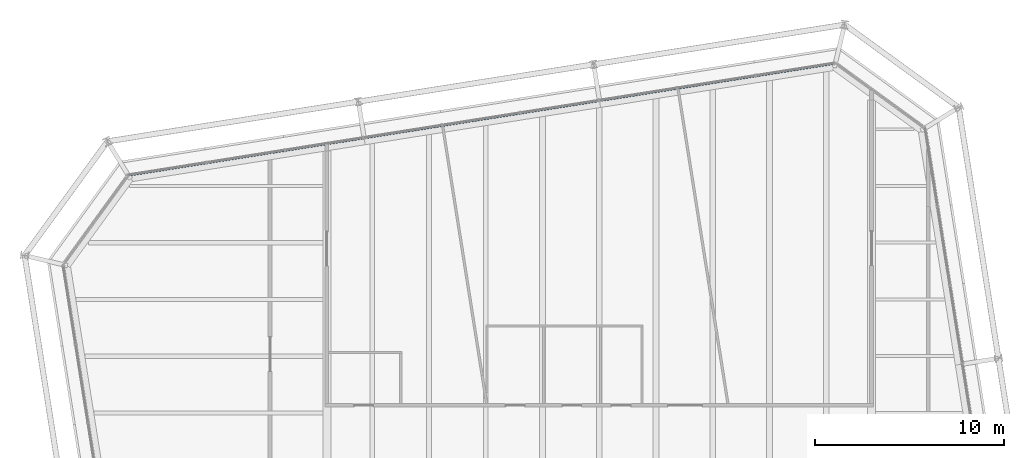
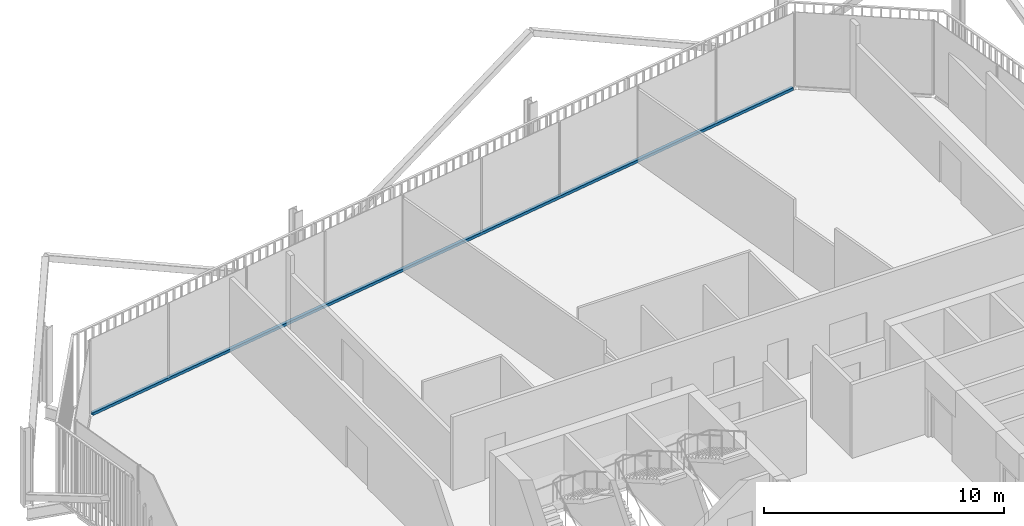
# One storey, part 14 of 21: 1 member, 1 element without a shape of its own.
"""IFC4 building model written with IfcOpenShell, lengths in metres."""

import ifcopenshell
import ifcopenshell.guid

model = None  # the IFC model being written
_history = None  # IfcOwnerHistory: only IFC2X3 demands one
_inside = {}  # id of a spatial element -> (the spatial element, [elements in it])
_under = {}  # id of a project, library or spatial element -> (it, [spatial elements below it])
_declared = {}  # id of a project -> (the project, [libraries it declares])
_typed = {}  # id of a type object -> (the type object, [elements of that type])
_made_of = {}  # id of a material, layer set ... -> (it, [elements and type objects made of it])


def new_model(schema):
    """Start an empty IFC model of exactly this schema.

    Asked for "IFC4X3", IfcOpenShell would pick the latest addendum, in which some entities
    have other attributes; the version numbers below select the first issue.
    IFC2X3 requires an IfcOwnerHistory on every rooted entity: one is made here for all.
    """
    global model, _history
    if schema == "IFC4X3":
        model = ifcopenshell.file(schema_version=(4, 3, 0, 0))
    else:
        model = ifcopenshell.file(schema=schema)
    _inside.clear()
    _under.clear()
    _declared.clear()
    _typed.clear()
    _made_of.clear()
    _history = None
    if model.schema == "IFC2X3":
        org = make("IfcOrganization", Name="unknown")
        user = make(
            "IfcPersonAndOrganization",
            ThePerson=make("IfcPerson", FamilyName="unknown"),
            TheOrganization=org,
        )
        app = make(
            "IfcApplication",
            ApplicationDeveloper=org,
            Version="unknown",
            ApplicationFullName="unknown",
            ApplicationIdentifier="unknown",
        )
        _history = make(
            "IfcOwnerHistory",
            OwningUser=user,
            OwningApplication=app,
            ChangeAction="ADDED",
            CreationDate=0,
        )
    return model


def make(cls, **values):
    """One entity of the class cls with the attributes given. An attribute that is None is left unset."""
    return model.create_entity(
        cls, **{name: value for name, value in values.items() if value is not None}
    )


def rooted(cls, **values):
    """An entity with a GlobalId (a new one), such as an element, a storey or a relation."""
    return make(cls, GlobalId=ifcopenshell.guid.new(), OwnerHistory=_history, **values)


def si_unit(unit_type, name, prefix=None):
    """IfcSIUnit, for example si_unit("LENGTHUNIT", "METRE", prefix="MILLI")."""
    return make("IfcSIUnit", UnitType=unit_type, Prefix=prefix, Name=name)


def assignment(units):
    """IfcUnitAssignment: the units of a project."""
    return None if units is None else make("IfcUnitAssignment", Units=units)


def point(xyz):
    """IfcCartesianPoint."""
    return None if xyz is None else make("IfcCartesianPoint", Coordinates=xyz)


def direction(xyz):
    """IfcDirection."""
    return None if xyz is None else make("IfcDirection", DirectionRatios=xyz)


def frame(location, z_axis=None, x_axis=None):
    """IfcAxis2Placement3D, a coordinate frame: its origin and axes. An axis left out is left unset."""
    return make(
        "IfcAxis2Placement3D",
        Location=point(location),
        Axis=direction(z_axis),
        RefDirection=direction(x_axis),
    )


def frame_2d(location, x_axis=None):
    """IfcAxis2Placement2D, a coordinate frame in the plane: its origin and x axis."""
    return make(
        "IfcAxis2Placement2D", Location=point(location), RefDirection=direction(x_axis)
    )


def origin():
    """The frame at (0, 0, 0) with its axes left unset."""
    return frame((0.0, 0.0, 0.0))


def origin_2d():
    """The frame at (0, 0) in the plane with its x axis left unset."""
    return frame_2d((0.0, 0.0))


def place(relative_to, where):
    """IfcLocalPlacement: puts the frame where relative to a parent placement (None: the world)."""
    return make(
        "IfcLocalPlacement", PlacementRelTo=relative_to, RelativePlacement=where
    )


def context(
    kind, dimensions, precision=None, world=None, true_north=None, identifier=None
):
    """IfcGeometricRepresentationContext, for example the 3D "Model" context."""
    return make(
        "IfcGeometricRepresentationContext",
        ContextIdentifier=identifier,
        ContextType=kind,
        CoordinateSpaceDimension=dimensions,
        Precision=precision,
        WorldCoordinateSystem=world,
        TrueNorth=true_north,
    )


def subcontext(parent, identifier, kind, view, scale=None):
    """IfcGeometricRepresentationSubContext, for example "Body" below "Model"."""
    return make(
        "IfcGeometricRepresentationSubContext",
        ContextIdentifier=identifier,
        ContextType=kind,
        ParentContext=parent,
        TargetScale=scale,
        TargetView=view,
    )


def project(units=None, contexts=None):
    """IfcProject with its units and contexts."""
    return rooted(
        "IfcProject",
        Name="project",
        RepresentationContexts=contexts,
        UnitsInContext=assignment(units),
    )


def spatial(cls, under=None, at=None, **own):
    """A site, building, storey or space (cls), placed at a placement, below another one or the project."""
    s = rooted(cls, ObjectPlacement=at, **own)
    if under is not None:
        _under.setdefault(under.id(), (under, []))[1].append(s)
    return s


def profile(cls, at=None, kind="AREA", **sizes):
    """A parametric profile (cls). Its sizes go by their IFC names, for example OverallWidth=200.0."""
    return make(cls, ProfileType=kind, Position=at, **sizes)


def rectangle(**sizes):
    """IfcRectangleProfileDef."""
    return profile("IfcRectangleProfileDef", **sizes)


def extrude(swept, where, along, depth):
    """IfcExtrudedAreaSolid: the profile swept, set in the frame where, extruded along a direction by depth."""
    return make(
        "IfcExtrudedAreaSolid",
        SweptArea=swept,
        Position=where,
        ExtrudedDirection=direction(along),
        Depth=depth,
    )


def shape(context_of_items, identifier, shape_type, items):
    """IfcShapeRepresentation: the items that make up one representation, for example the "Body"."""
    return make(
        "IfcShapeRepresentation",
        ContextOfItems=context_of_items,
        RepresentationIdentifier=identifier,
        RepresentationType=shape_type,
        Items=items,
    )


def material(Name=None, Category=None):
    """IfcMaterial."""
    return make("IfcMaterial", Name=Name, Category=Category)


def layer(
    of_material, thickness, ventilated=None, Name=None, Category=None, Priority=None
):
    """IfcMaterialLayer: one layer of a wall or slab, of a material (None: an air gap)."""
    return make(
        "IfcMaterialLayer",
        Material=of_material,
        LayerThickness=thickness,
        IsVentilated=ventilated,
        Name=Name,
        Category=Category,
        Priority=Priority,
    )


def layer_set(layers, Name=None):
    """IfcMaterialLayerSet."""
    return make("IfcMaterialLayerSet", MaterialLayers=layers, LayerSetName=Name)


def material_profile(
    of_material, cross_section, Name=None, Category=None, Priority=None
):
    """IfcMaterialProfile: a cross section and its material."""
    return make(
        "IfcMaterialProfile",
        Name=Name,
        Material=of_material,
        Profile=cross_section,
        Priority=Priority,
        Category=Category,
    )


def profile_set(profiles, Name=None, composite=None):
    """IfcMaterialProfileSet."""
    return make(
        "IfcMaterialProfileSet",
        Name=Name,
        MaterialProfiles=profiles,
        CompositeProfile=composite,
    )


def made_of(thing, what):
    """Note that an element or type object is made of a material, layer set ...; save() writes the relation."""
    if what is not None:
        _made_of.setdefault(what.id(), (what, []))[1].append(thing)
    return thing


def type_object(cls, material=None, **own):
    """A type object (cls), such as IfcWallType, which elements share."""
    return made_of(rooted(cls, **own), material)


def element(
    cls,
    number,
    at=None,
    inside=None,
    cuts=None,
    type_object=None,
    material=None,
    context=None,
    identifier="Body",
    shape_type=None,
    held_by="IfcProductDefinitionShape",
    body=None,
    shapes=None,
    **own,
):
    """One element of the class cls, such as IfcWall. Its Tag is "e" and its number.

    at: its placement. inside: the storey or other place that contains it. cuts: it is an
    opening in that element (IfcRelVoidsElement). A single representation is given by context,
    identifier, shape_type and body (its items); several are given by shapes. held_by: the class
    of the entity that holds the representations. save() writes the other relations.
    """
    e = rooted(cls, Tag="e%d" % number, ObjectPlacement=at, **own)
    if body is not None:
        shapes = [shape(context, identifier, shape_type, body)]
    if shapes is not None:
        e.Representation = make(held_by, Representations=shapes)
    if inside is not None:
        _inside.setdefault(inside.id(), (inside, []))[1].append(e)
    if cuts is not None:
        rooted(
            "IfcRelVoidsElement", RelatingBuildingElement=cuts, RelatedOpeningElement=e
        )
    if type_object is not None:
        _typed.setdefault(type_object.id(), (type_object, []))[1].append(e)
    return made_of(e, material)


def aggregate(whole, parts):
    """IfcRelAggregates: a whole, such as a stair, and the parts it consists of."""
    return rooted("IfcRelAggregates", RelatingObject=whole, RelatedObjects=parts)


def save(model, path):
    """Write the relations noted so far, then the file.

    IfcRelAggregates (storeys below a building ...), IfcRelContainedInSpatialStructure (elements
    in a storey), IfcRelDefinesByType, IfcRelAssociatesMaterial and IfcRelDeclares: one each for
    every whole, place, type object, material and project.
    """
    for whole, parts in _under.values():
        aggregate(whole, parts)
    for where, things in _inside.values():
        rooted(
            "IfcRelContainedInSpatialStructure",
            RelatedElements=things,
            RelatingStructure=where,
        )
    for kind, things in _typed.values():
        rooted("IfcRelDefinesByType", RelatedObjects=things, RelatingType=kind)
    for what, things in _made_of.values():
        rooted("IfcRelAssociatesMaterial", RelatedObjects=things, RelatingMaterial=what)
    for by, libraries in _declared.values():
        rooted("IfcRelDeclares", RelatingContext=by, RelatedDefinitions=libraries)
    model.write(path)


model = new_model("IFC4")

# Units and contexts
model_context = context("Model", 3, precision=1e-05, world=origin(), true_north=direction((0.0, 1.0)))
body_context = subcontext(model_context, "Body", "Model", "MODEL_VIEW")
ifc_project = project(units=[si_unit("LENGTHUNIT", "METRE"), si_unit("AREAUNIT", "SQUARE_METRE"), si_unit("VOLUMEUNIT", "CUBIC_METRE"), si_unit("PLANEANGLEUNIT", "RADIAN"), si_unit("MASSUNIT", "GRAM", prefix="KILO")], contexts=[model_context])

# Site, building, storey
site_placement = place(None, origin())
site = spatial("IfcSite", under=ifc_project, at=site_placement, CompositionType="ELEMENT")
building_placement = place(site_placement, origin())
building = spatial("IfcBuilding", under=site, at=building_placement, Name="Millrace Tower", CompositionType="ELEMENT")
storey_placement = place(building_placement, frame((0.0, 0.0, 212.5)))
storey = spatial("IfcBuildingStorey", under=building, at=storey_placement, Name="L48", CompositionType="ELEMENT", Elevation=212.5)

# Curtain wall, member
ifc_material_1 = material(Name="Aluminium and glass", Category="aluminium")
ifc_layer = layer(ifc_material_1, 0.14990234375)
ifc_layer_set = layer_set([ifc_layer], Name="Aluminium and glass")
curtain_wall_type = type_object("IfcCurtainWallType", Name="CW-1 office vision curtain wall", PredefinedType="NOTDEFINED", material=ifc_layer_set)
curtain_wall_placement = place(storey_placement, origin())
curtain_wall = element("IfcCurtainWall", 1, at=curtain_wall_placement, inside=storey, type_object=curtain_wall_type, Name="Curtain wall D-F06 L48", PredefinedType="NOTDEFINED")
ifc_material_2 = material(Name="Aluminium", Category="aluminium")
ifc_material_profile = material_profile(ifc_material_2, rectangle(XDim=0.14990234375, YDim=0.139892578125, at=origin_2d()))
ifc_profile_set = profile_set([ifc_material_profile], Name="Aluminium")
member_type = type_object("IfcMemberType", Name="CW-1 office vision curtain wall transom", PredefinedType="USERDEFINED", material=ifc_profile_set)
member_placement = place(storey_placement, frame((12.35888671875, 30.48193359375, 0.070068359375), z_axis=(-0.987687829698, -0.156437690685, 0.0), x_axis=(0.156437690685, -0.987687829698, 0.0)))
member = element("IfcMember", 2, at=member_placement, type_object=member_type, Name="CW1 transom D-F06.1", ObjectType="TRANSOM", PredefinedType="USERDEFINED", context=body_context, shape_type="SweptSolid", body=[
    extrude(rectangle(XDim=0.14990234375, YDim=0.139892578125, at=origin_2d()), origin(), (0.0, 0.0, 1.0), 37.60009765625),
])
aggregate(curtain_wall, [member])

save(model, "model.ifc")
